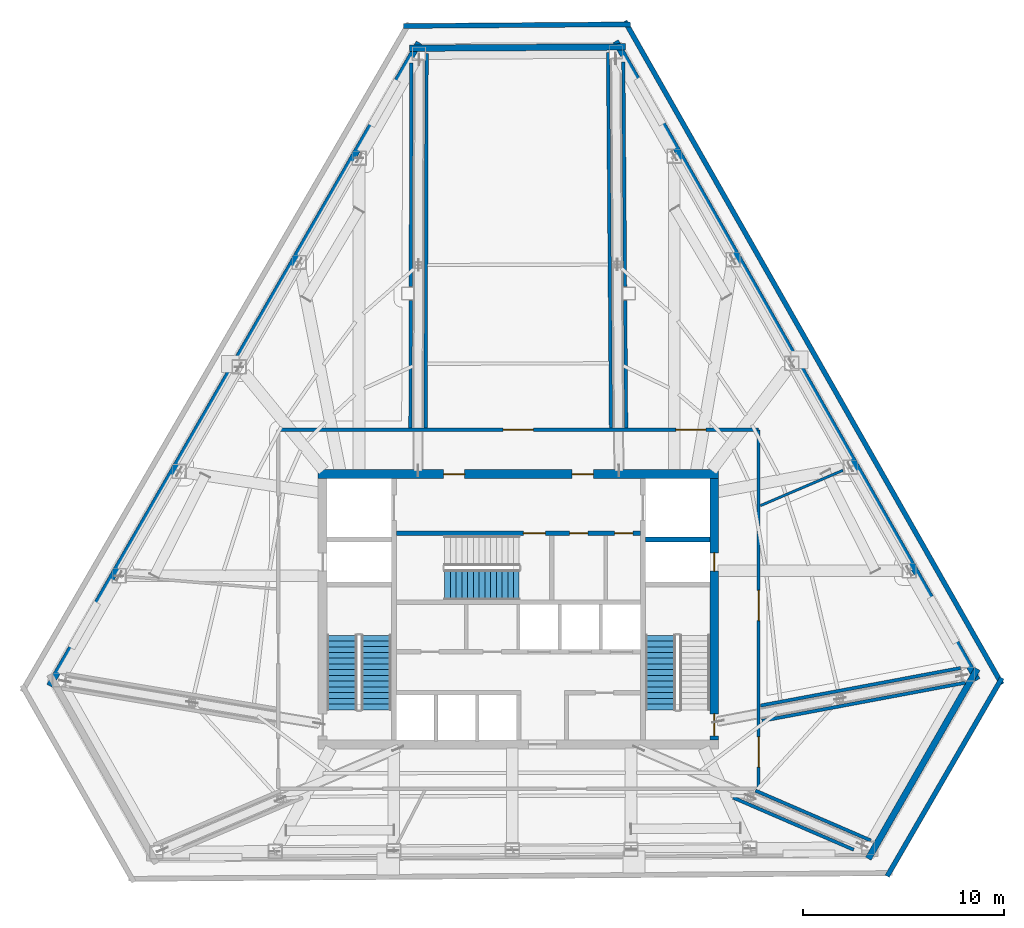
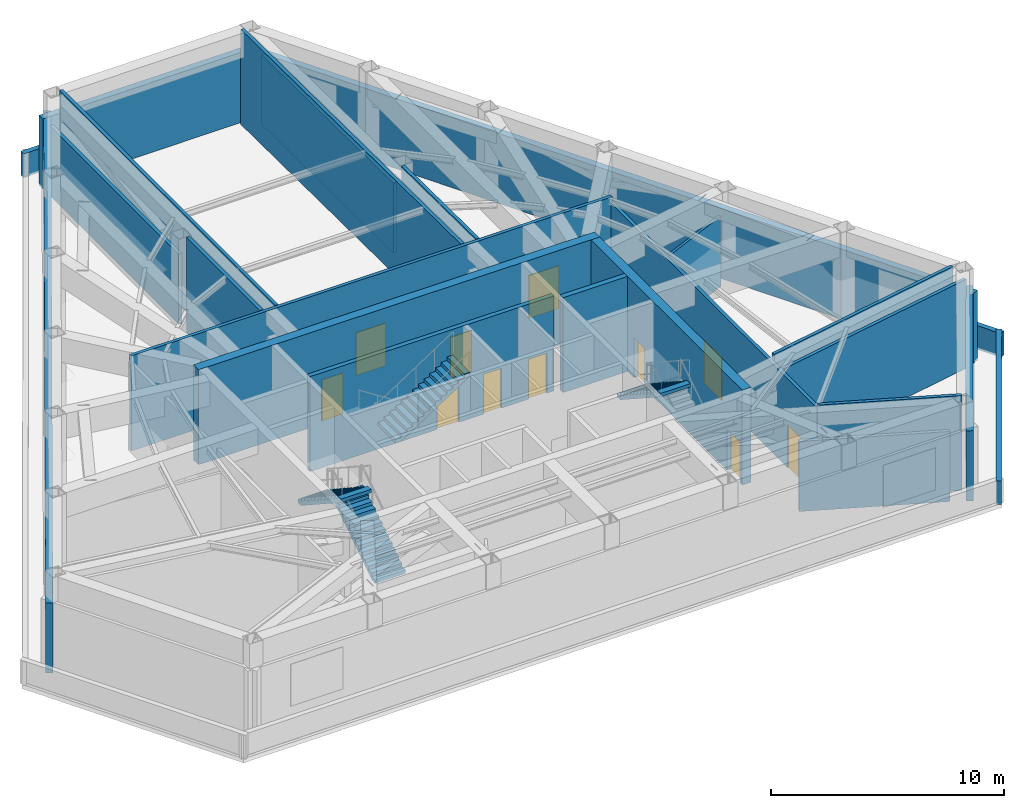
# One storey, part 10 of 13: 24 walls, 11 doors, 4 stair flights, 11 openings, 3 elements without a shape of their own.
"""IFC4 building model written with IfcOpenShell, lengths in metres."""

from ifc_helpers import new_model, si_unit, direction, frame, frame_2d, origin, place, context, subcontext, project, spatial, polyline, rectangle, outline, extrude, material, layer, layer_set, type_object, element, fill, aggregate, save


model = new_model("IFC4")

# Units and contexts
model_context = context("Model", 3, precision=1e-05, world=origin(), true_north=direction((0.0, 1.0)))
body_context = subcontext(model_context, "Body", "Model", "MODEL_VIEW")
ifc_project = project(units=[si_unit("LENGTHUNIT", "METRE"), si_unit("AREAUNIT", "SQUARE_METRE"), si_unit("VOLUMEUNIT", "CUBIC_METRE"), si_unit("PLANEANGLEUNIT", "RADIAN"), si_unit("MASSUNIT", "GRAM", prefix="KILO")], contexts=[model_context])

# Site, building, storey
site_placement = place(None, origin())
site = spatial("IfcSite", under=ifc_project, at=site_placement, CompositionType="ELEMENT")
building_placement = place(site_placement, origin())
building = spatial("IfcBuilding", under=site, at=building_placement, Name="Kavelnor Concourse Tower", CompositionType="ELEMENT")
storey_placement = place(building_placement, frame((0.0, 0.0, 154.800048828125)))
storey = spatial("IfcBuildingStorey", under=building, at=storey_placement, Name="L39", CompositionType="ELEMENT", Elevation=154.800048828125)

# Wall, openings, doors
ifc_material_1 = material(Name="Concrete C50/60", Category="concrete")
ifc_layer_1 = layer(ifc_material_1, 0.43994140625, Name="Concrete C50/60")
ifc_layer_set_1 = layer_set([ifc_layer_1], Name="Concrete C50/60")
wall_type_1 = type_object("IfcWallType", Name="WL-CORE-Z3-440", PredefinedType="SOLIDWALL", material=ifc_layer_set_1)
wall_1_placement = place(storey_placement, frame((28.0400390625, 22.820068359375, 0.0), z_axis=(0.0, 0.0, 1.0), x_axis=(1.0, 0.0, 0.0)))
wall_1 = element("IfcWall", 1, at=wall_1_placement, inside=storey, type_object=wall_type_1, Name="L39 Central Core North Shear Wall", PredefinedType="SOLIDWALL", context=body_context, shape_type="SweptSolid", body=[
    extrude(rectangle(XDim=19.919921875, YDim=0.43994140625, at=frame_2d((9.9599609375, 0.0))), origin(), (0.0, 0.0, 1.0), 4.98486328125),
])
opening_1_placement = place(wall_1_placement, frame((6.235107421875, 0.0, 0.0)))
opening_1 = element("IfcOpeningElement", 2, at=opening_1_placement, cuts=wall_1, Name="Opening FD-105", PredefinedType="OPENING", context=body_context, shape_type="SweptSolid", body=[
    extrude(rectangle(XDim=1.050048828125, YDim=2.14990234375, at=frame_2d((0.52490234375, 1.074951171875))), frame((0.0, 0.22998046875, 0.0), z_axis=(0.0, -1.0, 0.0), x_axis=(1.0, 0.0, 0.0)), (0.0, 0.0, 1.0), 0.4599609375),
])
opening_2_placement = place(wall_1_placement, frame((12.635009765625, 0.0, 0.0)))
opening_2 = element("IfcOpeningElement", 3, at=opening_2_placement, cuts=wall_1, Name="Opening FD-105", PredefinedType="OPENING", context=body_context, shape_type="SweptSolid", body=[
    extrude(rectangle(XDim=1.050048828125, YDim=2.14990234375, at=frame_2d((0.52490234375, 1.074951171875))), frame((0.0, 0.22998046875, 0.0), z_axis=(0.0, -1.0, 0.0), x_axis=(1.0, 0.0, 0.0)), (0.0, 0.0, 1.0), 0.4599609375),
])
ifc_material_2 = material(Name="Steel Grade 350", Category="steel")
door_type_1 = type_object("IfcDoorType", Name="DR-LOBBY-FIRE-1050", OperationType="NOTDEFINED", PredefinedType="DOOR", material=ifc_material_2)
door_1_placement = place(opening_1_placement, origin())
door_1 = element("IfcDoor", 4, at=door_1_placement, inside=storey, type_object=door_type_1, Name="L39 Emergency Lift Lobby West Door", OperationType="SINGLE_SWING_LEFT", OverallHeight=2.14990234375, OverallWidth=1.050048828125, PredefinedType="DOOR", context=body_context, shape_type="SweptSolid", body=[
    extrude(rectangle(XDim=1.050048828125, YDim=2.14990234375, at=frame_2d((0.52490234375, 1.074951171875))), frame((0.0, 0.02490234375, 0.0), z_axis=(0.0, -1.0, 0.0), x_axis=(1.0, 0.0, 0.0)), (0.0, 0.0, 1.0), 0.050048828125),
])
fill(opening_1, door_1)
door_2_placement = place(opening_2_placement, origin())
door_2 = element("IfcDoor", 5, at=door_2_placement, inside=storey, type_object=door_type_1, Name="L39 Emergency Lift Lobby East Door", OperationType="SINGLE_SWING_RIGHT", OverallHeight=2.14990234375, OverallWidth=1.050048828125, PredefinedType="DOOR", context=body_context, shape_type="SweptSolid", body=[
    extrude(rectangle(XDim=1.050048828125, YDim=2.14990234375, at=frame_2d((0.52490234375, 1.074951171875))), frame((0.0, 0.02490234375, 0.0), z_axis=(0.0, -1.0, 0.0), x_axis=(1.0, 0.0, 0.0)), (0.0, 0.0, 1.0), 0.050048828125),
])
fill(opening_2, door_2)

wall_2_placement = place(storey_placement, frame((47.739990234375, 9.60009765625, 0.0), z_axis=(0.0, 0.0, 1.0), x_axis=(0.0, 1.0, 0.0)))
wall_2 = element("IfcWall", 6, at=wall_2_placement, inside=storey, type_object=wall_type_1, Name="L39 Central Core East Shear Wall", PredefinedType="SOLIDWALL", context=body_context, shape_type="SweptSolid", body=[
    extrude(rectangle(XDim=13.0, YDim=0.43994140625, at=frame_2d((6.5, 0.0))), origin(), (0.0, 0.0, 1.0), 4.98486328125),
])
opening_3_placement = place(wall_2_placement, frame((0.199951171875, 0.0, 0.0)))
opening_3 = element("IfcOpeningElement", 7, at=opening_3_placement, cuts=wall_2, Name="Opening FD-110", PredefinedType="OPENING", context=body_context, shape_type="SweptSolid", body=[
    extrude(rectangle(XDim=1.10009765625, YDim=2.14990234375, at=frame_2d((0.550048828125, 1.074951171875))), frame((0.0, 0.22998046875, 0.0), z_axis=(0.0, -1.0, 0.0), x_axis=(1.0, 0.0, 0.0)), (0.0, 0.0, 1.0), 0.4599609375),
])
opening_4_placement = place(wall_2_placement, frame((8.39990234375, 0.0, 0.0)))
opening_4 = element("IfcOpeningElement", 8, at=opening_4_placement, cuts=wall_2, Name="Opening FD-090", PredefinedType="OPENING", context=body_context, shape_type="SweptSolid", body=[
    extrude(rectangle(XDim=0.89990234375, YDim=2.10009765625, at=frame_2d((0.449951171875, 1.050048828125))), frame((0.0, 0.22998046875, 0.0), z_axis=(0.0, -1.0, 0.0), x_axis=(1.0, 0.0, 0.0)), (0.0, 0.0, 1.0), 0.4599609375),
])
door_type_2 = type_object("IfcDoorType", Name="DR-RISER-FIRE-900", OperationType="NOTDEFINED", PredefinedType="DOOR", material=ifc_material_2)
door_3_placement = place(opening_4_placement, origin())
door_3 = element("IfcDoor", 9, at=door_3_placement, inside=storey, type_object=door_type_2, Name="L39 East Riser Access Door", OperationType="SINGLE_SWING_LEFT", OverallHeight=2.10009765625, OverallWidth=0.89990234375, PredefinedType="DOOR", context=body_context, shape_type="SweptSolid", body=[
    extrude(rectangle(XDim=0.89990234375, YDim=2.10009765625, at=frame_2d((0.449951171875, 1.050048828125))), frame((0.0, 0.02490234375, 0.0), z_axis=(0.0, -1.0, 0.0), x_axis=(1.0, 0.0, 0.0)), (0.0, 0.0, 1.0), 0.050048828125),
])
fill(opening_4, door_3)
door_type_3 = type_object("IfcDoorType", Name="DR-STAIR-FIRE-1100", OperationType="NOTDEFINED", PredefinedType="DOOR", material=ifc_material_2)
door_4_placement = place(opening_3_placement, origin())
door_4 = element("IfcDoor", 10, at=door_4_placement, inside=storey, type_object=door_type_3, Name="L39 Stair ST2 Fire Door", OperationType="SINGLE_SWING_RIGHT", OverallHeight=2.14990234375, OverallWidth=1.10009765625, PredefinedType="DOOR", context=body_context, shape_type="SweptSolid", body=[
    extrude(rectangle(XDim=1.10009765625, YDim=2.14990234375, at=frame_2d((0.550048828125, 1.074951171875))), frame((0.0, 0.02490234375, 0.0), z_axis=(0.0, -1.0, 0.0), x_axis=(1.0, 0.0, 0.0)), (0.0, 0.0, 1.0), 0.050048828125),
])
fill(opening_3, door_4)

# Walls
ifc_material_3 = material(Name="Buff ironspot clay face brick masonry", Category="masonry")
ifc_layer_2 = layer(ifc_material_3, 0.320068359375, Name="Buff ironspot clay face brick masonry")
ifc_layer_set_2 = layer_set([ifc_layer_2], Name="Buff ironspot clay face brick masonry")
wall_type_2 = type_object("IfcWallType", Name="WL-EXT-BUFF-BRICK-SPANDREL-320", PredefinedType="STANDARD", material=ifc_layer_set_2)
wall_3_placement = place(storey_placement, frame((32.578125, 43.99853515625, 0.0), z_axis=(0.0, 0.0, 1.0), x_axis=(0.999981011768, 0.006162475365, 0.0)))
element("IfcWall", 11, at=wall_3_placement, inside=storey, type_object=wall_type_2, Name="L39 Exterior Brick Facade Wall E0", PredefinedType="STANDARD", context=body_context, shape_type="SweptSolid", body=[
    extrude(rectangle(XDim=10.736328125, YDim=0.320068359375, at=frame_2d((5.3681640625, 0.0))), origin(), (0.0, 0.0, 1.0), 3.677001953125),
])
wall_4_placement = place(storey_placement, frame((14.685791015625, 12.29150390625, 0.0), z_axis=(0.0, 0.0, 1.0), x_axis=(0.498068556708, 0.867137655057, 0.0)))
element("IfcWall", 12, at=wall_4_placement, inside=storey, type_object=wall_type_2, Name="L39 Exterior Brick Facade Wall E1", PredefinedType="STANDARD", context=body_context, shape_type="SweptSolid", body=[
    extrude(rectangle(XDim=36.88818359375, YDim=0.320068359375, at=frame_2d((18.444091796875, 0.0))), origin(), (0.0, 0.0, 1.0), 3.677001953125),
])
wall_5_placement = place(storey_placement, frame((60.820068359375, 13.133056640625, 0.0), z_axis=(0.0, 0.0, 1.0), x_axis=(-0.498074593496, -0.867134187605, 0.0)))
element("IfcWall", 13, at=wall_5_placement, inside=storey, type_object=wall_type_2, Name="L39 Exterior Brick Facade Wall E4", PredefinedType="STANDARD", context=body_context, shape_type="SweptSolid", body=[
    extrude(rectangle(XDim=10.88671875, YDim=0.320068359375, at=frame_2d((5.443359375, 0.0))), origin(), (0.0, 0.0, 1.0), 3.677001953125),
])
wall_6_placement = place(storey_placement, frame((42.83154296875, 44.343994140625, 0.0), z_axis=(0.0, 0.0, 1.0), x_axis=(0.492716907926, -0.870189662455, 0.0)))
element("IfcWall", 14, at=wall_6_placement, inside=storey, type_object=wall_type_2, Name="L39 Exterior Brick Facade Wall E5", PredefinedType="STANDARD", context=body_context, shape_type="SweptSolid", body=[
    extrude(rectangle(XDim=36.50537109375, YDim=0.320068359375, at=frame_2d((18.252685546875, 0.0))), origin(), (0.0, 0.0, 1.0), 3.677001953125),
])

# Wall, openings, doors
ifc_material_4 = material(Name="Gypsum plasterboard on light-gauge steel studs", Category="steel")
ifc_layer_3 = layer(ifc_material_4, 0.1650390625, Name="Gypsum plasterboard on light-gauge steel studs")
ifc_layer_set_3 = layer_set([ifc_layer_3], Name="Gypsum plasterboard on light-gauge steel studs")
wall_type_3 = type_object("IfcWallType", Name="WL-INT-FIRE-165", PredefinedType="PARTITIONING", material=ifc_layer_set_3)
wall_7_placement = place(storey_placement, frame((26.06005859375, 25.02001953125, 0.0), z_axis=(0.0, 0.0, 1.0), x_axis=(1.0, 0.0, 0.0)))
wall_7 = element("IfcWall", 15, at=wall_7_placement, inside=storey, type_object=wall_type_3, Name="L39 Corridor Wall WL-L39-CR-N", PredefinedType="PARTITIONING", context=body_context, shape_type="SweptSolid", body=[
    extrude(rectangle(XDim=23.8798828125, YDim=0.1650390625, at=frame_2d((11.93994140625, 0.0))), origin(), (0.0, 0.0, 1.0), 4.98486328125),
])
opening_5_placement = place(wall_7_placement, frame((19.7646484375, 0.0, 0.0)))
opening_5 = element("IfcOpeningElement", 16, at=opening_5_placement, cuts=wall_7, Name="Opening PD-150", PredefinedType="OPENING", context=body_context, shape_type="SweptSolid", body=[
    extrude(rectangle(XDim=1.5, YDim=2.25, at=frame_2d((0.75, 1.125))), frame((0.0, 0.092529296875, 0.0), z_axis=(0.0, -1.0, 0.0), x_axis=(1.0, 0.0, 0.0)), (0.0, 0.0, 1.0), 0.18505859375),
])
opening_6_placement = place(wall_7_placement, frame((11.183349609375, 0.0, 0.0)))
opening_6 = element("IfcOpeningElement", 17, at=opening_6_placement, cuts=wall_7, Name="Opening PD-150", PredefinedType="OPENING", context=body_context, shape_type="SweptSolid", body=[
    extrude(rectangle(XDim=1.5, YDim=2.25, at=frame_2d((0.75, 1.125))), frame((0.0, 0.092529296875, 0.0), z_axis=(0.0, -1.0, 0.0), x_axis=(1.0, 0.0, 0.0)), (0.0, 0.0, 1.0), 0.18505859375),
])
door_type_4 = type_object("IfcDoorType", Name="DR-PLANT-1500", OperationType="NOTDEFINED", PredefinedType="DOOR", material=ifc_material_2)
door_5_placement = place(opening_5_placement, origin())
door_5 = element("IfcDoor", 18, at=door_5_placement, inside=storey, type_object=door_type_4, Name="L39 Refuge Area North-West 02 Door", OperationType="DOUBLE_DOOR_SINGLE_SWING", OverallHeight=2.25, OverallWidth=1.5, PredefinedType="DOOR", context=body_context, shape_type="SweptSolid", body=[
    extrude(rectangle(XDim=1.5, YDim=2.25, at=frame_2d((0.75, 1.125))), frame((0.0, 0.02490234375, 0.0), z_axis=(0.0, -1.0, 0.0), x_axis=(1.0, 0.0, 0.0)), (0.0, 0.0, 1.0), 0.050048828125),
])
fill(opening_5, door_5)
door_6_placement = place(opening_6_placement, origin())
door_6 = element("IfcDoor", 19, at=door_6_placement, inside=storey, type_object=door_type_4, Name="L39 Air Handling and Chiller Plant Room 03 Door", OperationType="DOUBLE_DOOR_SINGLE_SWING", OverallHeight=2.25, OverallWidth=1.5, PredefinedType="DOOR", context=body_context, shape_type="SweptSolid", body=[
    extrude(rectangle(XDim=1.5, YDim=2.25, at=frame_2d((0.75, 1.125))), frame((0.0, 0.02490234375, 0.0), z_axis=(0.0, -1.0, 0.0), x_axis=(1.0, 0.0, 0.0)), (0.0, 0.0, 1.0), 0.050048828125),
])
fill(opening_6, door_6)

wall_8_placement = place(storey_placement, frame((49.93994140625, 7.179931640625, 0.0), z_axis=(0.0, 0.0, 1.0), x_axis=(0.0, 1.0, 0.0)))
wall_8 = element("IfcWall", 20, at=wall_8_placement, inside=storey, type_object=wall_type_3, Name="L39 Corridor Wall WL-L39-CR-E", PredefinedType="PARTITIONING", context=body_context, shape_type="SweptSolid", body=[
    extrude(rectangle(XDim=17.840087890625, YDim=0.1650390625, at=frame_2d((8.919921875, 0.0))), origin(), (0.0, 0.0, 1.0), 4.6728515625),
])
opening_7_placement = place(wall_8_placement, frame((8.35546875, 0.0, 0.0)))
opening_7 = element("IfcOpeningElement", 21, at=opening_7_placement, cuts=wall_8, Name="Opening PD-150", PredefinedType="OPENING", context=body_context, shape_type="SweptSolid", body=[
    extrude(rectangle(XDim=1.5, YDim=2.25, at=frame_2d((0.75, 1.125))), frame((0.0, 0.092529296875, 0.0), z_axis=(0.0, -1.0, 0.0), x_axis=(1.0, 0.0, 0.0)), (0.0, 0.0, 1.0), 0.18505859375),
])
opening_8_placement = place(wall_8_placement, frame((1.0673828125, 0.0, 0.0)))
opening_8 = element("IfcOpeningElement", 22, at=opening_8_placement, cuts=wall_8, Name="Opening PD-150", PredefinedType="OPENING", context=body_context, shape_type="SweptSolid", body=[
    extrude(rectangle(XDim=1.5, YDim=2.25, at=frame_2d((0.75, 1.125))), frame((0.0, 0.092529296875, 0.0), z_axis=(0.0, -1.0, 0.0), x_axis=(1.0, 0.0, 0.0)), (0.0, 0.0, 1.0), 0.18505859375),
])
door_7_placement = place(opening_7_placement, origin())
door_7 = element("IfcDoor", 23, at=door_7_placement, inside=storey, type_object=door_type_4, Name="L39 Refuge Area North-East 01 Door", OperationType="DOUBLE_DOOR_SINGLE_SWING", OverallHeight=2.25, OverallWidth=1.5, PredefinedType="DOOR", context=body_context, shape_type="SweptSolid", body=[
    extrude(rectangle(XDim=1.5, YDim=2.25, at=frame_2d((0.75, 1.125))), frame((0.0, 0.02490234375, 0.0), z_axis=(0.0, -1.0, 0.0), x_axis=(1.0, 0.0, 0.0)), (0.0, 0.0, 1.0), 0.050048828125),
])
fill(opening_7, door_7)
door_8_placement = place(opening_8_placement, origin())
door_8 = element("IfcDoor", 24, at=door_8_placement, inside=storey, type_object=door_type_4, Name="L39 Air Handling and Chiller Plant Room 09 Door", OperationType="DOUBLE_DOOR_SINGLE_SWING", OverallHeight=2.25, OverallWidth=1.5, PredefinedType="DOOR", context=body_context, shape_type="SweptSolid", body=[
    extrude(rectangle(XDim=1.5, YDim=2.25, at=frame_2d((0.75, 1.125))), frame((0.0, 0.02490234375, 0.0), z_axis=(0.0, -1.0, 0.0), x_axis=(1.0, 0.0, 0.0)), (0.0, 0.0, 1.0), 0.050048828125),
])
fill(opening_8, door_8)

# Walls
wall_9_placement = place(storey_placement, frame((32.626708984375, 25.12109375, 0.0), z_axis=(0.0, 0.0, 1.0), x_axis=(0.002619001956, 0.999996570408, 0.0)))
element("IfcWall", 25, at=wall_9_placement, inside=storey, type_object=wall_type_3, Name="L39 Outrigger Truss Zone Wall 1L", PredefinedType="PARTITIONING", context=body_context, shape_type="SweptSolid", body=[
    extrude(rectangle(XDim=6.3388671875, YDim=0.1650390625, at=frame_2d((3.16943359375, 0.0))), origin(), (0.0, 0.0, 1.0), 4.98486328125),
])
wall_10_placement = place(storey_placement, frame((32.64501953125, 32.139892578125, 0.0), z_axis=(0.0, 0.0, 1.0), x_axis=(0.002634979105, 0.999996528437, 0.0)))
element("IfcWall", 26, at=wall_10_placement, inside=storey, type_object=wall_type_3, Name="L39 Outrigger Truss Zone Wall 1L", PredefinedType="PARTITIONING", context=body_context, shape_type="SweptSolid", body=[
    extrude(rectangle(XDim=11.118408203125, YDim=0.1650390625, at=frame_2d((5.55908203125, 0.0))), origin(), (0.0, 0.0, 1.0), 3.679931640625),
])
wall_11_placement = place(storey_placement, frame((33.38671875, 25.1201171875, 0.0), z_axis=(0.0, 0.0, 1.0), x_axis=(0.002636817196, 0.999996523591, 0.0)))
element("IfcWall", 27, at=wall_11_placement, inside=storey, type_object=wall_type_3, Name="L39 Outrigger Truss Zone Wall 1R", PredefinedType="PARTITIONING", context=body_context, shape_type="SweptSolid", body=[
    extrude(rectangle(XDim=18.6103515625, YDim=0.1650390625, at=frame_2d((9.30517578125, 0.0))), origin(), (0.0, 0.0, 1.0), 4.98486328125),
])
wall_12_placement = place(storey_placement, frame((49.787841796875, 7.080078125, 0.0), z_axis=(0.0, 0.0, 1.0), x_axis=(0.917914325814, -0.396778641645, 0.0)))
element("IfcWall", 28, at=wall_12_placement, inside=storey, type_object=wall_type_3, Name="L39 Outrigger Truss Zone Wall 4L", PredefinedType="PARTITIONING", context=body_context, shape_type="SweptSolid", body=[
    extrude(rectangle(XDim=6.2509765625, YDim=0.1650390625, at=frame_2d((3.12548828125, 0.0))), origin(), (0.0, 0.0, 1.0), 4.98486328125),
])
wall_13_placement = place(storey_placement, frame((48.67919921875, 6.731201171875, 0.0), z_axis=(0.0, 0.0, 1.0), x_axis=(0.917920342818, -0.396764721518, 0.0)))
element("IfcWall", 29, at=wall_13_placement, inside=storey, type_object=wall_type_3, Name="L39 Outrigger Truss Zone Wall 4R", PredefinedType="PARTITIONING", context=body_context, shape_type="SweptSolid", body=[
    extrude(rectangle(XDim=6.52978515625, YDim=0.1650390625, at=frame_2d((3.264892578125, 0.0))), origin(), (0.0, 0.0, 1.0), 3.679931640625),
])
wall_14_placement = place(storey_placement, frame((50.0400390625, 11.30810546875, 0.0), z_axis=(0.0, 0.0, 1.0), x_axis=(0.98283531121, 0.184485097062, 0.0)))
element("IfcWall", 30, at=wall_14_placement, inside=storey, type_object=wall_type_3, Name="L39 Outrigger Truss Zone Wall 5L", PredefinedType="PARTITIONING", context=body_context, shape_type="SweptSolid", body=[
    extrude(rectangle(XDim=10.123779296875, YDim=0.1650390625, at=frame_2d((5.06201171875, 0.0))), origin(), (0.0, 0.0, 1.0), 4.98486328125),
])
wall_15_placement = place(storey_placement, frame((50.110107421875, 10.548095703125, 0.0), z_axis=(0.0, 0.0, 1.0), x_axis=(0.982839403787, 0.184463292725, 0.0)))
element("IfcWall", 31, at=wall_15_placement, inside=storey, type_object=wall_type_3, Name="L39 Outrigger Truss Zone Wall 5R", PredefinedType="PARTITIONING", context=body_context, shape_type="SweptSolid", body=[
    extrude(rectangle(XDim=10.290283203125, YDim=0.1650390625, at=frame_2d((5.14501953125, 0.0))), origin(), (0.0, 0.0, 1.0), 4.6728515625),
])
wall_16_placement = place(storey_placement, frame((42.600341796875, 25.1201171875, 0.0), z_axis=(0.0, 0.0, 1.0), x_axis=(-0.007833204162, 0.999969319986, 0.0)))
element("IfcWall", 32, at=wall_16_placement, inside=storey, type_object=wall_type_3, Name="L39 Outrigger Truss Zone Wall 6L", PredefinedType="PARTITIONING", context=body_context, shape_type="SweptSolid", body=[
    extrude(rectangle(XDim=18.669189453125, YDim=0.1650390625, at=frame_2d((9.33447265625, 0.0))), origin(), (0.0, 0.0, 1.0), 4.98486328125),
])
wall_17_placement = place(storey_placement, frame((43.360107421875, 25.123046875, 0.0), z_axis=(0.0, 0.0, 1.0), x_axis=(-0.007820688544, 0.999969417948, 0.0)))
element("IfcWall", 33, at=wall_17_placement, inside=storey, type_object=wall_type_3, Name="L39 Outrigger Truss Zone Wall 6R", PredefinedType="PARTITIONING", context=body_context, shape_type="SweptSolid", body=[
    extrude(rectangle(XDim=6.337158203125, YDim=0.1650390625, at=frame_2d((3.16845703125, 0.0))), origin(), (0.0, 0.0, 1.0), 4.98486328125),
])
wall_18_placement = place(storey_placement, frame((43.305419921875, 32.139892578125, 0.0), z_axis=(0.0, 0.0, 1.0), x_axis=(-0.007848811534, 0.999969197604, 0.0)))
element("IfcWall", 34, at=wall_18_placement, inside=storey, type_object=wall_type_3, Name="L39 Outrigger Truss Zone Wall 6R", PredefinedType="PARTITIONING", context=body_context, shape_type="SweptSolid", body=[
    extrude(rectangle(XDim=11.166748046875, YDim=0.1650390625, at=frame_2d((5.58349609375, 0.0))), origin(), (0.0, 0.0, 1.0), 3.679931640625),
])
ifc_layer_4 = layer(ifc_material_4, 0.125, Name="Gypsum plasterboard on light-gauge steel studs")
ifc_layer_set_4 = layer_set([ifc_layer_4], Name="Gypsum plasterboard on light-gauge steel studs")
wall_type_4 = type_object("IfcWallType", Name="WL-INT-SUITE-125", PredefinedType="PARTITIONING", material=ifc_layer_set_4)
wall_19_placement = place(storey_placement, frame((50.030517578125, 21.250244140625, 0.0), z_axis=(0.0, 0.0, 1.0), x_axis=(0.919317125759, 0.393517499338, 0.0)))
element("IfcWall", 35, at=wall_19_placement, inside=storey, type_object=wall_type_4, Name="L39 Radial Suite Partition 01", PredefinedType="PARTITIONING", context=body_context, shape_type="SweptSolid", body=[
    extrude(rectangle(XDim=4.4736328125, YDim=0.125, at=frame_2d((2.23681640625, 0.0))), origin(), (0.0, 0.0, 1.0), 3.679931640625),
])
ifc_material_5 = material(Name="Red-ochre clay face brick masonry", Category="masonry")
ifc_layer_5 = layer(ifc_material_5, 0.239990234375, Name="Red-ochre clay face brick masonry")
ifc_layer_set_5 = layer_set([ifc_layer_5], Name="Red-ochre clay face brick masonry")
wall_type_5 = type_object("IfcWallType", Name="WL-PARAPET-BRICK-240", PredefinedType="PARAPET", material=ifc_layer_set_5)
wall_20_placement = place(storey_placement, frame((43.561767578125, 45.1875, 0.0), z_axis=(0.0, 0.0, 1.0), x_axis=(-0.999971400863, -0.007562899965, 0.0)))
element("IfcWall", 36, at=wall_20_placement, inside=storey, type_object=wall_type_5, Name="L39 Setback Roof Brick Parapet E0", PredefinedType="PARAPET", context=body_context, shape_type="SweptSolid", body=[
    extrude(rectangle(XDim=11.26611328125, YDim=0.239990234375, at=frame_2d((5.633056640625, 0.0))), origin(), (0.0, 0.0, 1.0), 1.25),
])
wall_21_placement = place(storey_placement, frame((56.33837890625, 2.824462890625, 0.0), z_axis=(0.0, 0.0, 1.0), x_axis=(0.500909529634, 0.865499649406, 0.0)))
element("IfcWall", 37, at=wall_21_placement, inside=storey, type_object=wall_type_5, Name="L39 Setback Roof Brick Parapet E4", PredefinedType="PARAPET", context=body_context, shape_type="SweptSolid", body=[
    extrude(rectangle(XDim=11.390380859375, YDim=0.239990234375, at=frame_2d((5.6953125, 0.0))), origin(), (0.0, 0.0, 1.0), 1.25),
])
wall_22_placement = place(storey_placement, frame((62.042724609375, 12.3701171875, 0.0), z_axis=(0.0, 0.0, 1.0), x_axis=(-0.494365638539, 0.869254056897, 0.0)))
element("IfcWall", 38, at=wall_22_placement, inside=storey, type_object=wall_type_5, Name="L39 Setback Roof Brick Parapet E5", PredefinedType="PARAPET", context=body_context, shape_type="SweptSolid", body=[
    extrude(rectangle(XDim=37.933837890625, YDim=0.239990234375, at=frame_2d((18.966796875, 0.0))), origin(), (0.0, 0.0, 1.0), 1.25),
])

# Wall, openings, doors
ifc_layer_6 = layer(ifc_material_1, 0.219970703125, Name="Concrete C50/60")
ifc_layer_set_6 = layer_set([ifc_layer_6], Name="Concrete C50/60")
wall_type_6 = type_object("IfcWallType", Name="WL-SHAFT-220", PredefinedType="SOLIDWALL", material=ifc_layer_set_6)
wall_23_placement = place(storey_placement, frame((31.93994140625, 19.8701171875, 0.0), z_axis=(0.0, 0.0, 1.0), x_axis=(1.0, 0.0, 0.0)))
wall_23 = element("IfcWall", 39, at=wall_23_placement, inside=storey, type_object=wall_type_6, Name="L39 Emergency Lift Lobby South Wall", PredefinedType="SOLIDWALL", context=body_context, shape_type="SweptSolid", body=[
    extrude(rectangle(XDim=12.1201171875, YDim=0.219970703125, at=frame_2d((6.06005859375, 0.0))), origin(), (0.0, 0.0, 1.0), 4.98486328125),
])
opening_9_placement = place(wall_23_placement, frame((6.300048828125, 0.0, 0.0)))
opening_9 = element("IfcOpeningElement", 40, at=opening_9_placement, cuts=wall_23, Name="Opening FD-110", PredefinedType="OPENING", context=body_context, shape_type="SweptSolid", body=[
    extrude(rectangle(XDim=1.10009765625, YDim=2.14990234375, at=frame_2d((0.550048828125, 1.074951171875))), frame((0.0, 0.1201171875, 0.0), z_axis=(0.0, -1.0, 0.0), x_axis=(1.0, 0.0, 0.0)), (0.0, 0.0, 1.0), 0.239990234375),
])
opening_10_placement = place(wall_23_placement, frame((8.610107421875, 0.0, 0.0)))
opening_10 = element("IfcOpeningElement", 41, at=opening_10_placement, cuts=wall_23, Name="Opening FD-090", PredefinedType="OPENING", context=body_context, shape_type="SweptSolid", body=[
    extrude(rectangle(XDim=0.89990234375, YDim=2.10009765625, at=frame_2d((0.449951171875, 1.050048828125))), frame((0.0, 0.1201171875, 0.0), z_axis=(0.0, -1.0, 0.0), x_axis=(1.0, 0.0, 0.0)), (0.0, 0.0, 1.0), 0.239990234375),
])
opening_11_placement = place(wall_23_placement, frame((10.85009765625, 0.0, 0.0)))
opening_11 = element("IfcOpeningElement", 42, at=opening_11_placement, cuts=wall_23, Name="Opening FD-090", PredefinedType="OPENING", context=body_context, shape_type="SweptSolid", body=[
    extrude(rectangle(XDim=0.89990234375, YDim=2.10009765625, at=frame_2d((0.449951171875, 1.050048828125))), frame((0.0, 0.1201171875, 0.0), z_axis=(0.0, -1.0, 0.0), x_axis=(1.0, 0.0, 0.0)), (0.0, 0.0, 1.0), 0.239990234375),
])
door_9_placement = place(opening_10_placement, origin())
door_9 = element("IfcDoor", 43, at=door_9_placement, inside=storey, type_object=door_type_2, Name="L39 Electrical Room Door", OperationType="SINGLE_SWING_LEFT", OverallHeight=2.10009765625, OverallWidth=0.89990234375, PredefinedType="DOOR", context=body_context, shape_type="SweptSolid", body=[
    extrude(rectangle(XDim=0.89990234375, YDim=2.10009765625, at=frame_2d((0.449951171875, 1.050048828125))), frame((0.0, 0.02490234375, 0.0), z_axis=(0.0, -1.0, 0.0), x_axis=(1.0, 0.0, 0.0)), (0.0, 0.0, 1.0), 0.050048828125),
])
fill(opening_10, door_9)
door_10_placement = place(opening_11_placement, origin())
door_10 = element("IfcDoor", 44, at=door_10_placement, inside=storey, type_object=door_type_2, Name="L39 Cleaner Store Door", OperationType="SINGLE_SWING_RIGHT", OverallHeight=2.10009765625, OverallWidth=0.89990234375, PredefinedType="DOOR", context=body_context, shape_type="SweptSolid", body=[
    extrude(rectangle(XDim=0.89990234375, YDim=2.10009765625, at=frame_2d((0.449951171875, 1.050048828125))), frame((0.0, 0.02490234375, 0.0), z_axis=(0.0, -1.0, 0.0), x_axis=(1.0, 0.0, 0.0)), (0.0, 0.0, 1.0), 0.050048828125),
])
fill(opening_11, door_10)
door_11_placement = place(opening_9_placement, origin())
door_11 = element("IfcDoor", 45, at=door_11_placement, inside=storey, type_object=door_type_3, Name="L39 Stair ST3 Fire Door", OperationType="SINGLE_SWING_LEFT", OverallHeight=2.14990234375, OverallWidth=1.10009765625, PredefinedType="DOOR", context=body_context, shape_type="SweptSolid", body=[
    extrude(rectangle(XDim=1.10009765625, YDim=2.14990234375, at=frame_2d((0.550048828125, 1.074951171875))), frame((0.0, 0.02490234375, 0.0), z_axis=(0.0, -1.0, 0.0), x_axis=(1.0, 0.0, 0.0)), (0.0, 0.0, 1.0), 0.050048828125),
])
fill(opening_9, door_11)

# Wall
ifc_layer_7 = layer(ifc_material_1, 0.260009765625, Name="Concrete C50/60")
ifc_layer_set_7 = layer_set([ifc_layer_7], Name="Concrete C50/60")
wall_type_7 = type_object("IfcWallType", Name="WL-SHAFT-260", PredefinedType="SHEAR", material=ifc_layer_set_7)
wall_24_placement = place(storey_placement, frame((44.320068359375, 19.570068359375, 0.0), z_axis=(0.0, 0.0, 1.0), x_axis=(1.0, 0.0, 0.0)))
element("IfcWall", 46, at=wall_24_placement, inside=storey, type_object=wall_type_7, Name="L39 Emergency Lift FL2 South Shaft Wall", PredefinedType="SHEAR", context=body_context, shape_type="SweptSolid", body=[
    extrude(rectangle(XDim=3.199951171875, YDim=0.260009765625, at=frame_2d((1.60009765625, 0.0))), origin(), (0.0, 0.0, 1.0), 4.98486328125),
])

# Stair, stair flights
ifc_material_6 = material(Name="Concrete C40/50", Category="concrete")
stair_type = type_object("IfcStairType", Name="STR-CORE-1500", PredefinedType="HALF_TURN_STAIR", material=ifc_material_6)
stair_1_placement = place(storey_placement, origin())
stair_1 = element("IfcStair", 47, at=stair_1_placement, inside=storey, type_object=stair_type, Name="L39 ST1", PredefinedType="HALF_TURN_STAIR")
stair_flight_type = type_object("IfcStairFlightType", Name="STR-FLIGHT-1500", PredefinedType="STRAIGHT", material=ifc_material_6)
stair_flight_1_placement = place(storey_placement, frame((30.929931640625, 11.10009765625, 0.0), z_axis=(0.0, 0.0, 1.0), x_axis=(0.0, 1.0, 0.0)))
stair_flight_1 = element("IfcStairFlight", 48, at=stair_flight_1_placement, type_object=stair_flight_type, Name="ST1 flight 1", NumberOfRisers=14, NumberOfTreads=13, PredefinedType="STRAIGHT", RiserHeight=0.185714286, TreadLength=0.285, context=body_context, shape_type="SweptSolid", body=[
    extrude(outline(polyline([(0.0, 0.0), (0.0, 0.185791015625), (0.284912109375, 0.185791015625), (0.284912109375, 0.371337890625), (0.570068359375, 0.371337890625), (0.570068359375, 0.55712890625), (0.85498046875, 0.55712890625), (0.85498046875, 0.742919921875), (1.139892578125, 0.742919921875), (1.139892578125, 0.928466796875), (1.425048828125, 0.928466796875), (1.425048828125, 1.1142578125), (1.7099609375, 1.1142578125), (1.7099609375, 1.300048828125), (1.9951171875, 1.300048828125), (1.9951171875, 1.485595703125), (2.280029296875, 1.485595703125), (2.280029296875, 1.67138671875), (2.56494140625, 1.67138671875), (2.56494140625, 1.857177734375), (2.85009765625, 1.857177734375), (2.85009765625, 2.04296875), (3.135009765625, 2.04296875), (3.135009765625, 2.228515625), (3.419921875, 2.228515625), (3.419921875, 2.414306640625), (3.705078125, 2.414306640625), (3.705078125, 2.60009765625), (3.705078125, 2.2353515625), (0.274658203125, 0.0), (0.0, 0.0)])), frame((0.0, 0.75, 0.0), z_axis=(0.0, -1.0, 0.0), x_axis=(1.0, 0.0, 0.0)), (0.0, 0.0, 1.0), 1.5),
])
stair_flight_2_placement = place(storey_placement, frame((29.22998046875, 14.804931640625, 2.599853515625), z_axis=(0.0, 0.0, 1.0), x_axis=(0.0, -1.0, 0.0)))
stair_flight_2 = element("IfcStairFlight", 49, at=stair_flight_2_placement, type_object=stair_flight_type, Name="ST1 flight 2", NumberOfRisers=14, NumberOfTreads=13, PredefinedType="STRAIGHT", RiserHeight=0.185714286, TreadLength=0.285, context=body_context, shape_type="SweptSolid", body=[
    extrude(outline(polyline([(0.0, 0.0), (0.0, 0.185791015625), (0.284912109375, 0.185791015625), (0.284912109375, 0.371337890625), (0.570068359375, 0.371337890625), (0.570068359375, 0.55712890625), (0.85498046875, 0.55712890625), (0.85498046875, 0.742919921875), (1.139892578125, 0.742919921875), (1.139892578125, 0.928466796875), (1.425048828125, 0.928466796875), (1.425048828125, 1.1142578125), (1.7099609375, 1.1142578125), (1.7099609375, 1.300048828125), (1.9951171875, 1.300048828125), (1.9951171875, 1.485595703125), (2.280029296875, 1.485595703125), (2.280029296875, 1.67138671875), (2.56494140625, 1.67138671875), (2.56494140625, 1.857177734375), (2.85009765625, 1.857177734375), (2.85009765625, 2.04296875), (3.135009765625, 2.04296875), (3.135009765625, 2.228515625), (3.419921875, 2.228515625), (3.419921875, 2.414306640625), (3.705078125, 2.414306640625), (3.705078125, 2.60009765625), (3.705078125, 2.2353515625), (0.274658203125, 0.0), (0.0, 0.0)])), frame((0.0, 0.75, 0.0), z_axis=(0.0, -1.0, 0.0), x_axis=(1.0, 0.0, 0.0)), (0.0, 0.0, 1.0), 1.5),
])
aggregate(stair_1, [stair_flight_1, stair_flight_2])

# Stair, stair flight
stair_2_placement = place(storey_placement, origin())
stair_2 = element("IfcStair", 50, at=stair_2_placement, inside=storey, type_object=stair_type, Name="L39 ST2", PredefinedType="HALF_TURN_STAIR")
stair_flight_3_placement = place(storey_placement, frame((45.070068359375, 14.804931640625, 2.599853515625), z_axis=(0.0, 0.0, 1.0), x_axis=(0.0, -1.0, 0.0)))
stair_flight_3 = element("IfcStairFlight", 51, at=stair_flight_3_placement, type_object=stair_flight_type, Name="ST2 flight 2", NumberOfRisers=14, NumberOfTreads=13, PredefinedType="STRAIGHT", RiserHeight=0.185714286, TreadLength=0.285, context=body_context, shape_type="SweptSolid", body=[
    extrude(outline(polyline([(0.0, 0.0), (0.0, 0.185791015625), (0.284912109375, 0.185791015625), (0.284912109375, 0.371337890625), (0.570068359375, 0.371337890625), (0.570068359375, 0.55712890625), (0.85498046875, 0.55712890625), (0.85498046875, 0.742919921875), (1.139892578125, 0.742919921875), (1.139892578125, 0.928466796875), (1.425048828125, 0.928466796875), (1.425048828125, 1.1142578125), (1.7099609375, 1.1142578125), (1.7099609375, 1.300048828125), (1.9951171875, 1.300048828125), (1.9951171875, 1.485595703125), (2.280029296875, 1.485595703125), (2.280029296875, 1.67138671875), (2.56494140625, 1.67138671875), (2.56494140625, 1.857177734375), (2.85009765625, 1.857177734375), (2.85009765625, 2.04296875), (3.135009765625, 2.04296875), (3.135009765625, 2.228515625), (3.419921875, 2.228515625), (3.419921875, 2.414306640625), (3.705078125, 2.414306640625), (3.705078125, 2.60009765625), (3.705078125, 2.2353515625), (0.274658203125, 0.0), (0.0, 0.0)])), frame((0.0, 0.75, 0.0), z_axis=(0.0, -1.0, 0.0), x_axis=(1.0, 0.0, 0.0)), (0.0, 0.0, 1.0), 1.5),
])
aggregate(stair_2, [stair_flight_3])

stair_3_placement = place(storey_placement, origin())
stair_3 = element("IfcStair", 52, at=stair_3_placement, inside=storey, type_object=stair_type, Name="L39 ST3", PredefinedType="HALF_TURN_STAIR")
stair_flight_4_placement = place(storey_placement, frame((34.3349609375, 17.31005859375, 2.599853515625), z_axis=(0.0, 0.0, 1.0), x_axis=(1.0, 0.0, 0.0)))
stair_flight_4 = element("IfcStairFlight", 53, at=stair_flight_4_placement, type_object=stair_flight_type, Name="ST3 flight 2", NumberOfRisers=14, NumberOfTreads=13, PredefinedType="STRAIGHT", RiserHeight=0.185714286, TreadLength=0.285, context=body_context, shape_type="SweptSolid", body=[
    extrude(outline(polyline([(0.0, 0.0), (0.0, 0.185791015625), (0.284912109375, 0.185791015625), (0.284912109375, 0.371337890625), (0.570068359375, 0.371337890625), (0.570068359375, 0.55712890625), (0.85498046875, 0.55712890625), (0.85498046875, 0.742919921875), (1.139892578125, 0.742919921875), (1.139892578125, 0.928466796875), (1.425048828125, 0.928466796875), (1.425048828125, 1.1142578125), (1.7099609375, 1.1142578125), (1.7099609375, 1.300048828125), (1.9951171875, 1.300048828125), (1.9951171875, 1.485595703125), (2.280029296875, 1.485595703125), (2.280029296875, 1.67138671875), (2.56494140625, 1.67138671875), (2.56494140625, 1.857177734375), (2.85009765625, 1.857177734375), (2.85009765625, 2.04296875), (3.135009765625, 2.04296875), (3.135009765625, 2.228515625), (3.419921875, 2.228515625), (3.419921875, 2.414306640625), (3.705078125, 2.414306640625), (3.705078125, 2.60009765625), (3.705078125, 2.2353515625), (0.274658203125, 0.0), (0.0, 0.0)])), frame((0.0, 0.75, 0.0), z_axis=(0.0, -1.0, 0.0), x_axis=(1.0, 0.0, 0.0)), (0.0, 0.0, 1.0), 1.5),
])
aggregate(stair_3, [stair_flight_4])

save(model, "model.ifc")
